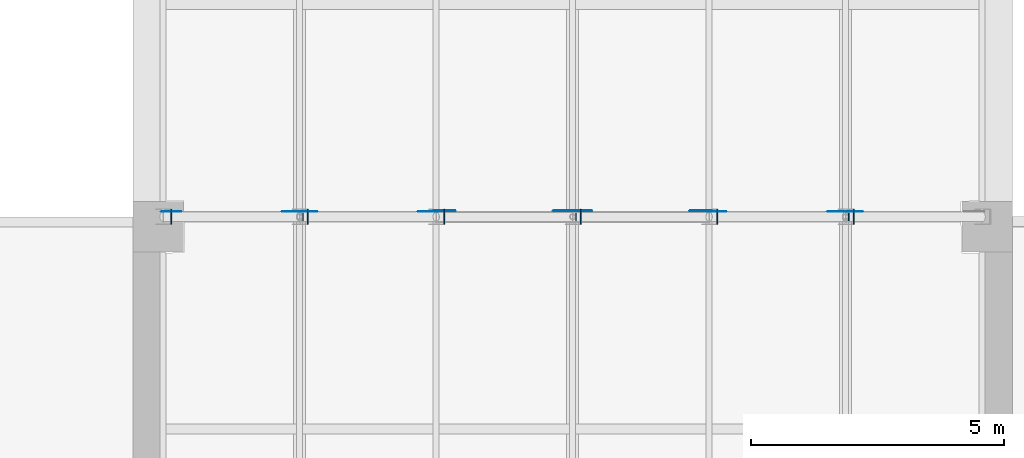
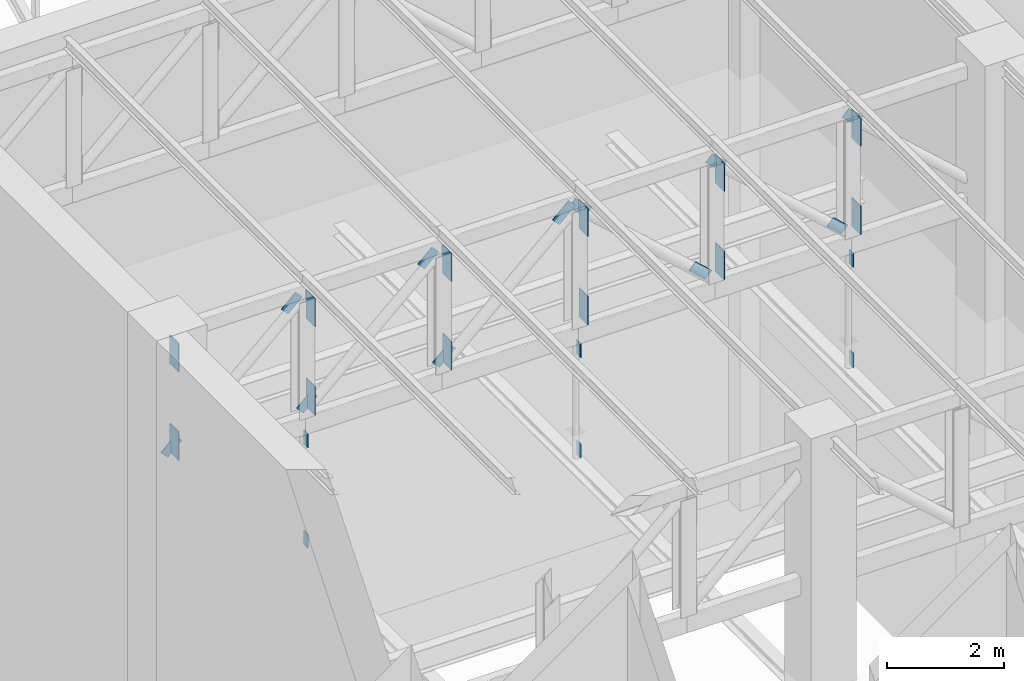
# One storey, part 42 of 68: 29 discrete accessories.
"""IFC4 building model written with IfcOpenShell, lengths in metres."""

from ifc_helpers import new_model, si_unit, direction, frame, origin, origin_2d, place, context, subcontext, project, spatial, rectangle, extrude, material, material_profile, profile_set, type_object, element, save


model = new_model("IFC4")

# Units and contexts
model_context = context("Model", 3, precision=1e-05, world=origin(), true_north=direction((0.0, 1.0)))
body_context = subcontext(model_context, "Body", "Model", "MODEL_VIEW")
ifc_project = project(units=[si_unit("LENGTHUNIT", "METRE"), si_unit("AREAUNIT", "SQUARE_METRE"), si_unit("VOLUMEUNIT", "CUBIC_METRE"), si_unit("PLANEANGLEUNIT", "RADIAN"), si_unit("MASSUNIT", "GRAM", prefix="KILO")], contexts=[model_context])

# Site, building, storey
site_placement = place(None, origin())
site = spatial("IfcSite", under=ifc_project, at=site_placement, CompositionType="ELEMENT")
building_placement = place(site_placement, origin())
building = spatial("IfcBuilding", under=site, at=building_placement, Name="Larchfold Concert Hall", CompositionType="ELEMENT")
storey_placement = place(building_placement, frame((0.0, 0.0, 28.800048828125)))
storey = spatial("IfcBuildingStorey", under=building, at=storey_placement, Name="L06", CompositionType="ELEMENT", Elevation=28.800048828125)

# Discrete accessories
ifc_material_1 = material(Name="Steel S355 galvanised bracket", Category="steel")
ifc_material_profile_1 = material_profile(ifc_material_1, rectangle(XDim=0.011962890625, YDim=0.14990234375, at=origin_2d()))
ifc_profile_set_1 = profile_set([ifc_material_profile_1], Name="Steel S355 galvanised bracket")
discrete_accessory_type_1 = type_object("IfcDiscreteAccessoryType", Name="Gusset plate 12x150", PredefinedType="BRACKET", material=ifc_profile_set_1)
for number, where, z_axis, x_axis, name in (
    (1, (37.26318359375, 51.0, 8.5), (0.0, 0.0, 1.0), (1.0, 0.0, 0.0), "Gusset plate GP0765"),
    (2, (37.26318359375, 51.0, 10.599853515625), (0.0, 0.0, 1.0), (1.0, 0.0, 0.0), "Gusset plate GP0766"),
    (3, (42.663330078125, 51.0, 8.5), (0.0, 0.0, 1.0), (1.0, 0.0, 0.0), "Gusset plate GP0769"),
    (4, (42.663330078125, 51.0, 10.599853515625), (0.0, 0.0, 1.0), (1.0, 0.0, 0.0), "Gusset plate GP0770"),
    (5, (48.063232421875, 51.0, 8.5), (0.0, 0.0, 1.0), (1.0, 0.0, 0.0), "Gusset plate GP0773"),
    (6, (48.063232421875, 51.0, 10.599853515625), (0.0, 0.0, 1.0), (1.0, 0.0, 0.0), "Gusset plate GP0774"),
):
    element("IfcDiscreteAccessory", number, at=place(storey_placement, frame(where, z_axis=z_axis, x_axis=x_axis)), inside=storey, type_object=discrete_accessory_type_1, Name=name, PredefinedType="BRACKET", context=body_context, shape_type="SweptSolid", body=[
        extrude(rectangle(XDim=0.011962890625, YDim=0.14990234375, at=origin_2d()), origin(), (0.0, 0.0, 1.0), 0.300048828125),
    ])
ifc_material_2 = material(Name="Steel S355 galvanised bracket", Category="steel")
ifc_material_profile_2 = material_profile(ifc_material_2, rectangle(XDim=0.011962890625, YDim=0.199951171875, at=origin_2d()))
ifc_profile_set_2 = profile_set([ifc_material_profile_2], Name="Steel S355 galvanised bracket")
discrete_accessory_type_2 = type_object("IfcDiscreteAccessoryType", Name="Gusset plate 12x200", PredefinedType="BRACKET", material=ifc_profile_set_2)
for number, where, z_axis, x_axis, name in (
    (7, (34.514892578125, 51.102783203125, 11.3134765625), (0.740624199034, 0.0, 0.671919486103), (0.0, 1.0, 0.0), "Gusset plate GP0725"),
    (8, (36.898193359375, 51.102783203125, 13.476318359375), (0.740624199034, 0.0, 0.671919486103), (0.0, 1.0, 0.0), "Gusset plate GP0726"),
    (9, (37.199951171875, 51.102783203125, 11.300048828125), (0.740624199034, 0.0, 0.671919486103), (0.0, 1.0, 0.0), "Gusset plate GP0727"),
    (10, (39.59814453125, 51.102783203125, 13.476318359375), (0.740624199034, 0.0, 0.671919486103), (0.0, 1.0, 0.0), "Gusset plate GP0728"),
    (11, (45.300048828125, 51.102783203125, 13.75), (0.740624199034, 0.0, -0.671919486103), (0.0, 1.0, 0.0), "Gusset plate GP0733"),
    (12, (47.6982421875, 51.102783203125, 11.57373046875), (0.740624199034, 0.0, -0.671919486103), (0.0, 1.0, 0.0), "Gusset plate GP0734"),
    (13, (48.0, 51.102783203125, 13.75), (0.740624199034, 0.0, -0.671919486103), (0.0, 1.0, 0.0), "Gusset plate GP0735"),
):
    element("IfcDiscreteAccessory", number, at=place(storey_placement, frame(where, z_axis=z_axis, x_axis=x_axis)), inside=storey, type_object=discrete_accessory_type_2, Name=name, PredefinedType="BRACKET", context=body_context, shape_type="SweptSolid", body=[
        extrude(rectangle(XDim=0.011962890625, YDim=0.199951171875, at=origin_2d()), origin(), (0.0, 0.0, 1.0), 0.38720703125),
    ])
ifc_material_3 = material(Name="Steel S355 galvanised bracket", Category="steel")
ifc_material_profile_3 = material_profile(ifc_material_3, rectangle(XDim=0.01611328125, YDim=0.199951171875, at=origin_2d()))
ifc_profile_set_3 = profile_set([ifc_material_profile_3], Name="Steel S355 galvanised bracket")
discrete_accessory_type_3 = type_object("IfcDiscreteAccessoryType", Name="Gusset plate 16x200", PredefinedType="BRACKET", material=ifc_profile_set_3)
for number, where, z_axis, x_axis, name in (
    (14, (39.89990234375, 51.117431640625, 11.300048828125), (0.740544899397, 0.0, 0.672006883877), (0.0, 1.0, 0.0), "Gusset plate GP0729"),
    (15, (42.275634765625, 51.117431640625, 13.45556640625), (0.740544899397, 0.0, 0.672006883877), (0.0, 1.0, 0.0), "Gusset plate GP0730"),
    (16, (42.60009765625, 51.117431640625, 13.75), (0.740544899397, 0.0, -0.672006883877), (0.0, 1.0, 0.0), "Gusset plate GP0731"),
    (17, (44.9755859375, 51.117431640625, 11.594482421875), (0.740544899397, 0.0, -0.672006883877), (0.0, 1.0, 0.0), "Gusset plate GP0732"),
):
    element("IfcDiscreteAccessory", number, at=place(storey_placement, frame(where, z_axis=z_axis, x_axis=x_axis)), inside=storey, type_object=discrete_accessory_type_3, Name=name, PredefinedType="BRACKET", context=body_context, shape_type="SweptSolid", body=[
        extrude(rectangle(XDim=0.01611328125, YDim=0.199951171875, at=origin_2d()), origin(), (0.0, 0.0, 1.0), 0.438232421875),
    ])
ifc_material_4 = material(Name="Steel S355 galvanised bracket", Category="steel")
ifc_material_profile_4 = material_profile(ifc_material_4, rectangle(XDim=0.02001953125, YDim=0.300048828125, at=origin_2d()))
ifc_profile_set_4 = profile_set([ifc_material_profile_4], Name="Steel S355 galvanised bracket")
discrete_accessory_type_4 = type_object("IfcDiscreteAccessoryType", Name="Gusset plate 20x300", PredefinedType="BRACKET", material=ifc_profile_set_4)
for number, where, z_axis, x_axis, name in (
    (18, (34.659912109375, 51.0, 11.300048828125), (0.0, 0.0, 1.0), (1.0, 0.0, 0.0), "Gusset plate GP0711"),
    (19, (34.659912109375, 51.0, 13.14990234375), (0.0, 0.0, 1.0), (1.0, 0.0, 0.0), "Gusset plate GP0712"),
    (20, (37.35986328125, 51.0, 11.300048828125), (0.0, 0.0, 1.0), (1.0, 0.0, 0.0), "Gusset plate GP0713"),
    (21, (37.35986328125, 51.0, 13.14990234375), (0.0, 0.0, 1.0), (1.0, 0.0, 0.0), "Gusset plate GP0714"),
    (22, (40.059814453125, 51.0, 11.300048828125), (0.0, 0.0, 1.0), (1.0, 0.0, 0.0), "Gusset plate GP0715"),
    (23, (40.059814453125, 51.0, 13.14990234375), (0.0, 0.0, 1.0), (1.0, 0.0, 0.0), "Gusset plate GP0716"),
    (24, (42.760009765625, 51.0, 11.300048828125), (0.0, 0.0, 1.0), (1.0, 0.0, 0.0), "Gusset plate GP0717"),
    (25, (42.760009765625, 51.0, 13.14990234375), (0.0, 0.0, 1.0), (1.0, 0.0, 0.0), "Gusset plate GP0718"),
    (26, (45.4599609375, 51.0, 11.300048828125), (0.0, 0.0, 1.0), (1.0, 0.0, 0.0), "Gusset plate GP0719"),
    (27, (45.4599609375, 51.0, 13.14990234375), (0.0, 0.0, 1.0), (1.0, 0.0, 0.0), "Gusset plate GP0720"),
    (28, (48.159912109375, 51.0, 11.300048828125), (0.0, 0.0, 1.0), (1.0, 0.0, 0.0), "Gusset plate GP0721"),
    (29, (48.159912109375, 51.0, 13.14990234375), (0.0, 0.0, 1.0), (1.0, 0.0, 0.0), "Gusset plate GP0722"),
):
    element("IfcDiscreteAccessory", number, at=place(storey_placement, frame(where, z_axis=z_axis, x_axis=x_axis)), inside=storey, type_object=discrete_accessory_type_4, Name=name, PredefinedType="BRACKET", context=body_context, shape_type="SweptSolid", body=[
        extrude(rectangle(XDim=0.02001953125, YDim=0.300048828125, at=origin_2d()), origin(), (0.0, 0.0, 1.0), 0.60009765625),
    ])

save(model, "model.ifc")
